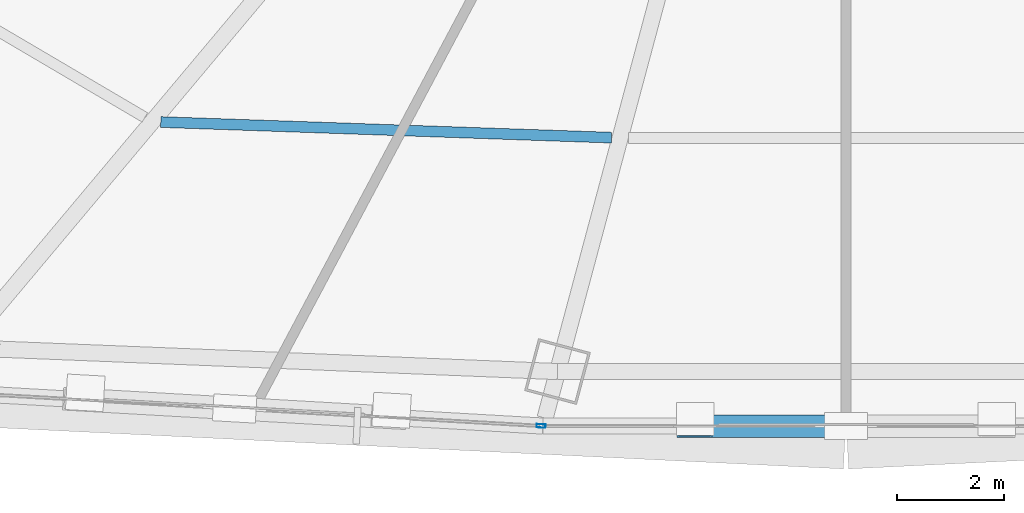
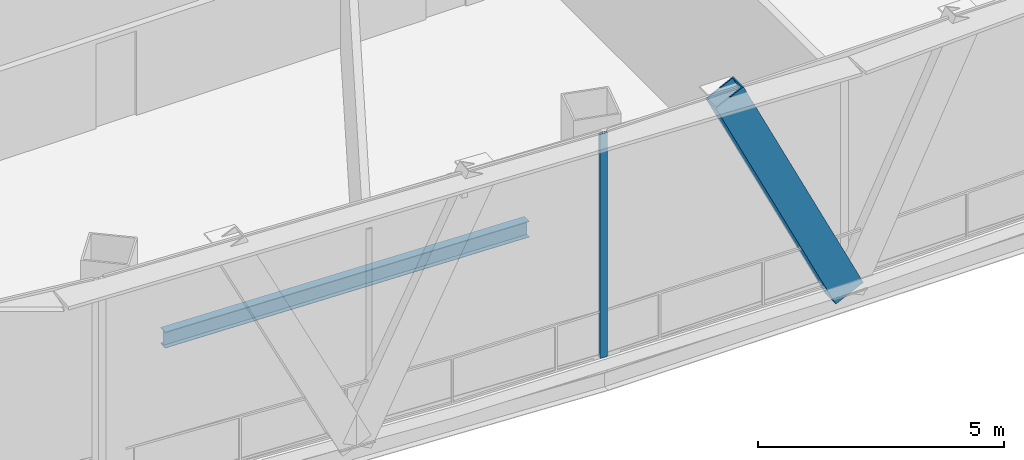
# One storey, part 9 of 36: 2 members, 1 beam, 1 element without a shape of its own.
"""IFC4 building model written with IfcOpenShell, lengths in metres."""

import ifcopenshell
import ifcopenshell.guid

model = None  # the IFC model being written
_history = None  # IfcOwnerHistory: only IFC2X3 demands one
_inside = {}  # id of a spatial element -> (the spatial element, [elements in it])
_under = {}  # id of a project, library or spatial element -> (it, [spatial elements below it])
_declared = {}  # id of a project -> (the project, [libraries it declares])
_typed = {}  # id of a type object -> (the type object, [elements of that type])
_made_of = {}  # id of a material, layer set ... -> (it, [elements and type objects made of it])


def new_model(schema):
    """Start an empty IFC model of exactly this schema.

    Asked for "IFC4X3", IfcOpenShell would pick the latest addendum, in which some entities
    have other attributes; the version numbers below select the first issue.
    IFC2X3 requires an IfcOwnerHistory on every rooted entity: one is made here for all.
    """
    global model, _history
    if schema == "IFC4X3":
        model = ifcopenshell.file(schema_version=(4, 3, 0, 0))
    else:
        model = ifcopenshell.file(schema=schema)
    _inside.clear()
    _under.clear()
    _declared.clear()
    _typed.clear()
    _made_of.clear()
    _history = None
    if model.schema == "IFC2X3":
        org = make("IfcOrganization", Name="unknown")
        user = make(
            "IfcPersonAndOrganization",
            ThePerson=make("IfcPerson", FamilyName="unknown"),
            TheOrganization=org,
        )
        app = make(
            "IfcApplication",
            ApplicationDeveloper=org,
            Version="unknown",
            ApplicationFullName="unknown",
            ApplicationIdentifier="unknown",
        )
        _history = make(
            "IfcOwnerHistory",
            OwningUser=user,
            OwningApplication=app,
            ChangeAction="ADDED",
            CreationDate=0,
        )
    return model


def make(cls, **values):
    """One entity of the class cls with the attributes given. An attribute that is None is left unset."""
    return model.create_entity(
        cls, **{name: value for name, value in values.items() if value is not None}
    )


def rooted(cls, **values):
    """An entity with a GlobalId (a new one), such as an element, a storey or a relation."""
    return make(cls, GlobalId=ifcopenshell.guid.new(), OwnerHistory=_history, **values)


def si_unit(unit_type, name, prefix=None):
    """IfcSIUnit, for example si_unit("LENGTHUNIT", "METRE", prefix="MILLI")."""
    return make("IfcSIUnit", UnitType=unit_type, Prefix=prefix, Name=name)


def assignment(units):
    """IfcUnitAssignment: the units of a project."""
    return None if units is None else make("IfcUnitAssignment", Units=units)


def point(xyz):
    """IfcCartesianPoint."""
    return None if xyz is None else make("IfcCartesianPoint", Coordinates=xyz)


def direction(xyz):
    """IfcDirection."""
    return None if xyz is None else make("IfcDirection", DirectionRatios=xyz)


def frame(location, z_axis=None, x_axis=None):
    """IfcAxis2Placement3D, a coordinate frame: its origin and axes. An axis left out is left unset."""
    return make(
        "IfcAxis2Placement3D",
        Location=point(location),
        Axis=direction(z_axis),
        RefDirection=direction(x_axis),
    )


def frame_2d(location, x_axis=None):
    """IfcAxis2Placement2D, a coordinate frame in the plane: its origin and x axis."""
    return make(
        "IfcAxis2Placement2D", Location=point(location), RefDirection=direction(x_axis)
    )


def origin():
    """The frame at (0, 0, 0) with its axes left unset."""
    return frame((0.0, 0.0, 0.0))


def origin_2d():
    """The frame at (0, 0) in the plane with its x axis left unset."""
    return frame_2d((0.0, 0.0))


def place(relative_to, where):
    """IfcLocalPlacement: puts the frame where relative to a parent placement (None: the world)."""
    return make(
        "IfcLocalPlacement", PlacementRelTo=relative_to, RelativePlacement=where
    )


def context(
    kind, dimensions, precision=None, world=None, true_north=None, identifier=None
):
    """IfcGeometricRepresentationContext, for example the 3D "Model" context."""
    return make(
        "IfcGeometricRepresentationContext",
        ContextIdentifier=identifier,
        ContextType=kind,
        CoordinateSpaceDimension=dimensions,
        Precision=precision,
        WorldCoordinateSystem=world,
        TrueNorth=true_north,
    )


def subcontext(parent, identifier, kind, view, scale=None):
    """IfcGeometricRepresentationSubContext, for example "Body" below "Model"."""
    return make(
        "IfcGeometricRepresentationSubContext",
        ContextIdentifier=identifier,
        ContextType=kind,
        ParentContext=parent,
        TargetScale=scale,
        TargetView=view,
    )


def project(units=None, contexts=None):
    """IfcProject with its units and contexts."""
    return rooted(
        "IfcProject",
        Name="project",
        RepresentationContexts=contexts,
        UnitsInContext=assignment(units),
    )


def spatial(cls, under=None, at=None, **own):
    """A site, building, storey or space (cls), placed at a placement, below another one or the project."""
    s = rooted(cls, ObjectPlacement=at, **own)
    if under is not None:
        _under.setdefault(under.id(), (under, []))[1].append(s)
    return s


def profile(cls, at=None, kind="AREA", **sizes):
    """A parametric profile (cls). Its sizes go by their IFC names, for example OverallWidth=200.0."""
    return make(cls, ProfileType=kind, Position=at, **sizes)


def hollow_rectangle(**sizes):
    """IfcRectangleHollowProfileDef."""
    return profile("IfcRectangleHollowProfileDef", **sizes)


def i_section(**sizes):
    """IfcIShapeProfileDef."""
    return profile("IfcIShapeProfileDef", **sizes)


def extrude(swept, where, along, depth):
    """IfcExtrudedAreaSolid: the profile swept, set in the frame where, extruded along a direction by depth."""
    return make(
        "IfcExtrudedAreaSolid",
        SweptArea=swept,
        Position=where,
        ExtrudedDirection=direction(along),
        Depth=depth,
    )


def shape(context_of_items, identifier, shape_type, items):
    """IfcShapeRepresentation: the items that make up one representation, for example the "Body"."""
    return make(
        "IfcShapeRepresentation",
        ContextOfItems=context_of_items,
        RepresentationIdentifier=identifier,
        RepresentationType=shape_type,
        Items=items,
    )


def source(mapping_origin, context_of_items, identifier, shape_type, items):
    """IfcRepresentationMap: a shape defined once, which mapped items show again and again."""
    return make(
        "IfcRepresentationMap",
        MappingOrigin=mapping_origin,
        MappedRepresentation=shape(context_of_items, identifier, shape_type, items),
    )


def transform(
    local_origin,
    x_axis=None,
    y_axis=None,
    z_axis=None,
    scale=None,
    scale2=None,
    scale3=None,
    uniform=True,
):
    """IfcCartesianTransformationOperator3D, or its non-uniform kind. x_axis, y_axis, z_axis: its Axis1, 2, 3."""
    if uniform:
        return make(
            "IfcCartesianTransformationOperator3D",
            Axis1=direction(x_axis),
            Axis2=direction(y_axis),
            LocalOrigin=point(local_origin),
            Scale=scale,
            Axis3=direction(z_axis),
        )
    return make(
        "IfcCartesianTransformationOperator3DnonUniform",
        Axis1=direction(x_axis),
        Axis2=direction(y_axis),
        LocalOrigin=point(local_origin),
        Scale=scale,
        Axis3=direction(z_axis),
        Scale2=scale2,
        Scale3=scale3,
    )


def mapped(mapping_source, mapping_target):
    """IfcMappedItem: shows the shape of a source again, moved by a transform."""
    return make(
        "IfcMappedItem", MappingSource=mapping_source, MappingTarget=mapping_target
    )


def material(Name=None, Category=None):
    """IfcMaterial."""
    return make("IfcMaterial", Name=Name, Category=Category)


def layer(
    of_material, thickness, ventilated=None, Name=None, Category=None, Priority=None
):
    """IfcMaterialLayer: one layer of a wall or slab, of a material (None: an air gap)."""
    return make(
        "IfcMaterialLayer",
        Material=of_material,
        LayerThickness=thickness,
        IsVentilated=ventilated,
        Name=Name,
        Category=Category,
        Priority=Priority,
    )


def layer_set(layers, Name=None):
    """IfcMaterialLayerSet."""
    return make("IfcMaterialLayerSet", MaterialLayers=layers, LayerSetName=Name)


def material_profile(
    of_material, cross_section, Name=None, Category=None, Priority=None
):
    """IfcMaterialProfile: a cross section and its material."""
    return make(
        "IfcMaterialProfile",
        Name=Name,
        Material=of_material,
        Profile=cross_section,
        Priority=Priority,
        Category=Category,
    )


def profile_set(profiles, Name=None, composite=None):
    """IfcMaterialProfileSet."""
    return make(
        "IfcMaterialProfileSet",
        Name=Name,
        MaterialProfiles=profiles,
        CompositeProfile=composite,
    )


def made_of(thing, what):
    """Note that an element or type object is made of a material, layer set ...; save() writes the relation."""
    if what is not None:
        _made_of.setdefault(what.id(), (what, []))[1].append(thing)
    return thing


def type_object(cls, material=None, **own):
    """A type object (cls), such as IfcWallType, which elements share."""
    return made_of(rooted(cls, **own), material)


def element(
    cls,
    number,
    at=None,
    inside=None,
    cuts=None,
    type_object=None,
    material=None,
    context=None,
    identifier="Body",
    shape_type=None,
    held_by="IfcProductDefinitionShape",
    body=None,
    shapes=None,
    **own,
):
    """One element of the class cls, such as IfcWall. Its Tag is "e" and its number.

    at: its placement. inside: the storey or other place that contains it. cuts: it is an
    opening in that element (IfcRelVoidsElement). A single representation is given by context,
    identifier, shape_type and body (its items); several are given by shapes. held_by: the class
    of the entity that holds the representations. save() writes the other relations.
    """
    e = rooted(cls, Tag="e%d" % number, ObjectPlacement=at, **own)
    if body is not None:
        shapes = [shape(context, identifier, shape_type, body)]
    if shapes is not None:
        e.Representation = make(held_by, Representations=shapes)
    if inside is not None:
        _inside.setdefault(inside.id(), (inside, []))[1].append(e)
    if cuts is not None:
        rooted(
            "IfcRelVoidsElement", RelatingBuildingElement=cuts, RelatedOpeningElement=e
        )
    if type_object is not None:
        _typed.setdefault(type_object.id(), (type_object, []))[1].append(e)
    return made_of(e, material)


def aggregate(whole, parts):
    """IfcRelAggregates: a whole, such as a stair, and the parts it consists of."""
    return rooted("IfcRelAggregates", RelatingObject=whole, RelatedObjects=parts)


def save(model, path):
    """Write the relations noted so far, then the file.

    IfcRelAggregates (storeys below a building ...), IfcRelContainedInSpatialStructure (elements
    in a storey), IfcRelDefinesByType, IfcRelAssociatesMaterial and IfcRelDeclares: one each for
    every whole, place, type object, material and project.
    """
    for whole, parts in _under.values():
        aggregate(whole, parts)
    for where, things in _inside.values():
        rooted(
            "IfcRelContainedInSpatialStructure",
            RelatedElements=things,
            RelatingStructure=where,
        )
    for kind, things in _typed.values():
        rooted("IfcRelDefinesByType", RelatedObjects=things, RelatingType=kind)
    for what, things in _made_of.values():
        rooted("IfcRelAssociatesMaterial", RelatedObjects=things, RelatingMaterial=what)
    for by, libraries in _declared.values():
        rooted("IfcRelDeclares", RelatingContext=by, RelatedDefinitions=libraries)
    model.write(path)


model = new_model("IFC4")

# Units and contexts
model_context = context("Model", 3, precision=1e-05, world=origin(), true_north=direction((0.0, 1.0)))
body_context = subcontext(model_context, "Body", "Model", "MODEL_VIEW")
ifc_project = project(units=[si_unit("LENGTHUNIT", "METRE"), si_unit("AREAUNIT", "SQUARE_METRE"), si_unit("VOLUMEUNIT", "CUBIC_METRE"), si_unit("PLANEANGLEUNIT", "RADIAN"), si_unit("MASSUNIT", "GRAM", prefix="KILO"), si_unit("THERMODYNAMICTEMPERATUREUNIT", "KELVIN"), si_unit("POWERUNIT", "WATT")], contexts=[model_context])

# Site, building, storey
site_placement = place(None, origin())
site = spatial("IfcSite", under=ifc_project, at=site_placement, CompositionType="ELEMENT")
building_placement = place(site_placement, origin())
building = spatial("IfcBuilding", under=site, at=building_placement, Name="Yunzhuo Pagoda Commons", CompositionType="ELEMENT")
storey_placement = place(building_placement, frame((0.0, 0.0, 119.179931640625)))
storey = spatial("IfcBuildingStorey", under=building, at=storey_placement, Name="L30", CompositionType="ELEMENT", Elevation=119.179931640625)

# Beam
ifc_material_1 = material(Name="Structural steel Q355B", Category="steel")
ifc_material_profile_1 = material_profile(ifc_material_1, i_section(OverallWidth=0.199951171875, OverallDepth=0.39990234375, WebThickness=0.008056640625, FlangeThickness=0.012939453125, at=origin_2d()), Name="Structural steel Q355B")
ifc_profile_set_1 = profile_set([ifc_material_profile_1], Name="Structural steel Q355B")
beam_type = type_object("IfcBeamType", Name="B-JS1 Joist HN 400x200x8x13", PredefinedType="JOIST", material=ifc_profile_set_1)
shared_shape_1 = source(origin(), body_context, "Body", "SweptSolid", [
    extrude(i_section(OverallWidth=0.199951171875, OverallDepth=0.39990234375, WebThickness=0.008056640625, FlangeThickness=0.012939453125, at=origin_2d()), origin(), (0.0, 0.0, 1.0), 8.392822265625),
])
beam_placement = place(storey_placement, frame((35.25048828125, 18.310791015625, -0.47998046875), z_axis=(0.999400667027, -0.034616567521, 0.0), x_axis=(0.034616567521, 0.999400667027, 0.0)))
element("IfcBeam", 1, at=beam_placement, inside=storey, type_object=beam_type, Name="L30 composite ring joist 2.1", PredefinedType="JOIST", context=body_context, shape_type="MappedRepresentation", body=[
    mapped(shared_shape_1, transform((0.0, 0.0, 0.0), scale=1.0)),
])

# Member
ifc_material_2 = material(Name="Structural steel Q420B", Category="steel")
ifc_material_profile_2 = material_profile(ifc_material_2, hollow_rectangle(XDim=0.419921875, YDim=0.719970703125, WallThickness=0.028076171875, at=origin_2d()), Name="Structural steel Q420B")
ifc_profile_set_2 = profile_set([ifc_material_profile_2], Name="Structural steel Q420B")
member_type_1 = type_object("IfcMemberType", Name="M-DL1 Brace BOX 720x420x28", PredefinedType="BRACE", material=ifc_profile_set_2)
shared_shape_2 = source(origin(), body_context, "Body", "SweptSolid", [
    extrude(hollow_rectangle(XDim=0.419921875, YDim=0.719970703125, WallThickness=0.028076171875, at=origin_2d()), origin(), (0.0, 0.0, 1.0), 6.494140625),
])
member_1_placement = place(storey_placement, frame((48.0, 12.654296875, -0.280029296875), z_axis=(-0.43417390032, 0.0, 0.900829076063), x_axis=(0.0, -1.0, 0.0)))
element("IfcMember", 2, at=member_1_placement, inside=storey, type_object=member_type_1, Name="L30 facade diamond brace F1.2L", PredefinedType="BRACE", context=body_context, shape_type="MappedRepresentation", body=[
    mapped(shared_shape_2, transform((0.0, 0.0, 0.0), scale=1.0)),
])

# Curtain wall, member
ifc_material_3 = material(Name="Anodized aluminium 6063-T6", Category="aluminium")
ifc_layer = layer(ifc_material_3, 0.1650390625)
ifc_layer_set = layer_set([ifc_layer], Name="Anodized aluminium 6063-T6")
curtain_wall_type = type_object("IfcCurtainWallType", Name="CW-LOW Low-Zone Ribbon Curtain Wall", PredefinedType="NOTDEFINED", material=ifc_layer_set)
curtain_wall_placement = place(storey_placement, origin())
curtain_wall = element("IfcCurtainWall", 3, at=curtain_wall_placement, inside=storey, type_object=curtain_wall_type, Name="L30 curtain wall CW-L30-F1B2", PredefinedType="NOTDEFINED")
ifc_material_profile_3 = material_profile(ifc_material_3, hollow_rectangle(XDim=0.06494140625, YDim=0.1650390625, WallThickness=0.00390625, at=origin_2d()), Name="Anodized aluminium 6063-T6")
ifc_profile_set_3 = profile_set([ifc_material_profile_3], Name="Anodized aluminium 6063-T6")
member_type_2 = type_object("IfcMemberType", Name="CW-LOW-M Mullion RHS 165x65x4", PredefinedType="MULLION", material=ifc_profile_set_3)
shared_shape_3 = source(origin(), body_context, "Body", "SweptSolid", [
    extrude(hollow_rectangle(XDim=0.06494140625, YDim=0.1650390625, WallThickness=0.00390625, at=origin_2d()), origin(), (0.0, 0.0, 1.0), 5.570068359375),
])
member_2_placement = place(storey_placement, frame((42.328369140625, 12.656005859375, 0.0), z_axis=(0.0, 0.0, 1.0), x_axis=(0.056890920994, 0.998380400002, 0.0)))
member_2 = element("IfcMember", 4, at=member_2_placement, type_object=member_type_2, Name="CW mullion 2", PredefinedType="MULLION", context=body_context, shape_type="MappedRepresentation", body=[
    mapped(shared_shape_3, transform((0.0, 0.0, 0.0), scale=1.0)),
])
aggregate(curtain_wall, [member_2])

save(model, "model.ifc")
